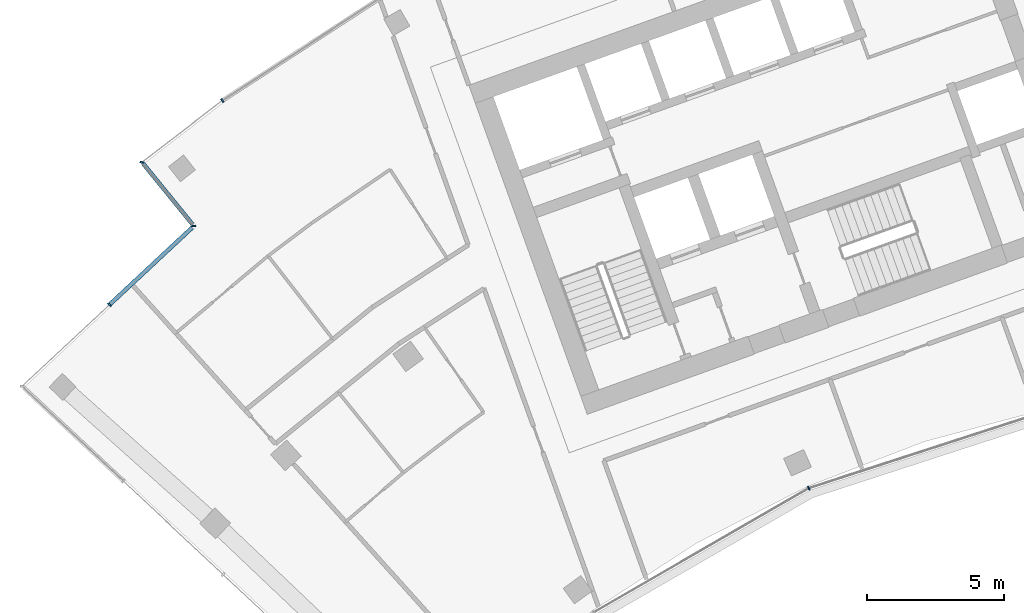
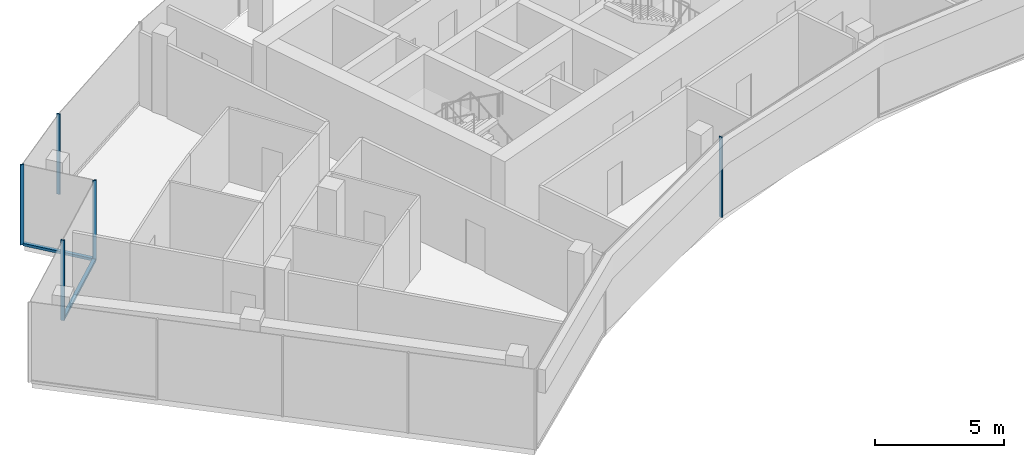
# One storey, part 3 of 18: 7 members, 4 elements without a shape of their own.
"""IFC4 building model written with IfcOpenShell, lengths in metres."""

import ifcopenshell
import ifcopenshell.guid

model = None  # the IFC model being written
_history = None  # IfcOwnerHistory: only IFC2X3 demands one
_inside = {}  # id of a spatial element -> (the spatial element, [elements in it])
_under = {}  # id of a project, library or spatial element -> (it, [spatial elements below it])
_declared = {}  # id of a project -> (the project, [libraries it declares])
_typed = {}  # id of a type object -> (the type object, [elements of that type])
_made_of = {}  # id of a material, layer set ... -> (it, [elements and type objects made of it])


def new_model(schema):
    """Start an empty IFC model of exactly this schema.

    Asked for "IFC4X3", IfcOpenShell would pick the latest addendum, in which some entities
    have other attributes; the version numbers below select the first issue.
    IFC2X3 requires an IfcOwnerHistory on every rooted entity: one is made here for all.
    """
    global model, _history
    if schema == "IFC4X3":
        model = ifcopenshell.file(schema_version=(4, 3, 0, 0))
    else:
        model = ifcopenshell.file(schema=schema)
    _inside.clear()
    _under.clear()
    _declared.clear()
    _typed.clear()
    _made_of.clear()
    _history = None
    if model.schema == "IFC2X3":
        org = make("IfcOrganization", Name="unknown")
        user = make(
            "IfcPersonAndOrganization",
            ThePerson=make("IfcPerson", FamilyName="unknown"),
            TheOrganization=org,
        )
        app = make(
            "IfcApplication",
            ApplicationDeveloper=org,
            Version="unknown",
            ApplicationFullName="unknown",
            ApplicationIdentifier="unknown",
        )
        _history = make(
            "IfcOwnerHistory",
            OwningUser=user,
            OwningApplication=app,
            ChangeAction="ADDED",
            CreationDate=0,
        )
    return model


def make(cls, **values):
    """One entity of the class cls with the attributes given. An attribute that is None is left unset."""
    return model.create_entity(
        cls, **{name: value for name, value in values.items() if value is not None}
    )


def rooted(cls, **values):
    """An entity with a GlobalId (a new one), such as an element, a storey or a relation."""
    return make(cls, GlobalId=ifcopenshell.guid.new(), OwnerHistory=_history, **values)


def si_unit(unit_type, name, prefix=None):
    """IfcSIUnit, for example si_unit("LENGTHUNIT", "METRE", prefix="MILLI")."""
    return make("IfcSIUnit", UnitType=unit_type, Prefix=prefix, Name=name)


def assignment(units):
    """IfcUnitAssignment: the units of a project."""
    return None if units is None else make("IfcUnitAssignment", Units=units)


def point(xyz):
    """IfcCartesianPoint."""
    return None if xyz is None else make("IfcCartesianPoint", Coordinates=xyz)


def direction(xyz):
    """IfcDirection."""
    return None if xyz is None else make("IfcDirection", DirectionRatios=xyz)


def frame(location, z_axis=None, x_axis=None):
    """IfcAxis2Placement3D, a coordinate frame: its origin and axes. An axis left out is left unset."""
    return make(
        "IfcAxis2Placement3D",
        Location=point(location),
        Axis=direction(z_axis),
        RefDirection=direction(x_axis),
    )


def frame_2d(location, x_axis=None):
    """IfcAxis2Placement2D, a coordinate frame in the plane: its origin and x axis."""
    return make(
        "IfcAxis2Placement2D", Location=point(location), RefDirection=direction(x_axis)
    )


def origin():
    """The frame at (0, 0, 0) with its axes left unset."""
    return frame((0.0, 0.0, 0.0))


def origin_2d():
    """The frame at (0, 0) in the plane with its x axis left unset."""
    return frame_2d((0.0, 0.0))


def place(relative_to, where):
    """IfcLocalPlacement: puts the frame where relative to a parent placement (None: the world)."""
    return make(
        "IfcLocalPlacement", PlacementRelTo=relative_to, RelativePlacement=where
    )


def context(
    kind, dimensions, precision=None, world=None, true_north=None, identifier=None
):
    """IfcGeometricRepresentationContext, for example the 3D "Model" context."""
    return make(
        "IfcGeometricRepresentationContext",
        ContextIdentifier=identifier,
        ContextType=kind,
        CoordinateSpaceDimension=dimensions,
        Precision=precision,
        WorldCoordinateSystem=world,
        TrueNorth=true_north,
    )


def subcontext(parent, identifier, kind, view, scale=None):
    """IfcGeometricRepresentationSubContext, for example "Body" below "Model"."""
    return make(
        "IfcGeometricRepresentationSubContext",
        ContextIdentifier=identifier,
        ContextType=kind,
        ParentContext=parent,
        TargetScale=scale,
        TargetView=view,
    )


def project(units=None, contexts=None):
    """IfcProject with its units and contexts."""
    return rooted(
        "IfcProject",
        Name="project",
        RepresentationContexts=contexts,
        UnitsInContext=assignment(units),
    )


def spatial(cls, under=None, at=None, **own):
    """A site, building, storey or space (cls), placed at a placement, below another one or the project."""
    s = rooted(cls, ObjectPlacement=at, **own)
    if under is not None:
        _under.setdefault(under.id(), (under, []))[1].append(s)
    return s


def profile(cls, at=None, kind="AREA", **sizes):
    """A parametric profile (cls). Its sizes go by their IFC names, for example OverallWidth=200.0."""
    return make(cls, ProfileType=kind, Position=at, **sizes)


def rectangle(**sizes):
    """IfcRectangleProfileDef."""
    return profile("IfcRectangleProfileDef", **sizes)


def extrude(swept, where, along, depth):
    """IfcExtrudedAreaSolid: the profile swept, set in the frame where, extruded along a direction by depth."""
    return make(
        "IfcExtrudedAreaSolid",
        SweptArea=swept,
        Position=where,
        ExtrudedDirection=direction(along),
        Depth=depth,
    )


def shape(context_of_items, identifier, shape_type, items):
    """IfcShapeRepresentation: the items that make up one representation, for example the "Body"."""
    return make(
        "IfcShapeRepresentation",
        ContextOfItems=context_of_items,
        RepresentationIdentifier=identifier,
        RepresentationType=shape_type,
        Items=items,
    )


def material(Name=None, Category=None):
    """IfcMaterial."""
    return make("IfcMaterial", Name=Name, Category=Category)


def layer(
    of_material, thickness, ventilated=None, Name=None, Category=None, Priority=None
):
    """IfcMaterialLayer: one layer of a wall or slab, of a material (None: an air gap)."""
    return make(
        "IfcMaterialLayer",
        Material=of_material,
        LayerThickness=thickness,
        IsVentilated=ventilated,
        Name=Name,
        Category=Category,
        Priority=Priority,
    )


def layer_set(layers, Name=None):
    """IfcMaterialLayerSet."""
    return make("IfcMaterialLayerSet", MaterialLayers=layers, LayerSetName=Name)


def material_profile(
    of_material, cross_section, Name=None, Category=None, Priority=None
):
    """IfcMaterialProfile: a cross section and its material."""
    return make(
        "IfcMaterialProfile",
        Name=Name,
        Material=of_material,
        Profile=cross_section,
        Priority=Priority,
        Category=Category,
    )


def profile_set(profiles, Name=None, composite=None):
    """IfcMaterialProfileSet."""
    return make(
        "IfcMaterialProfileSet",
        Name=Name,
        MaterialProfiles=profiles,
        CompositeProfile=composite,
    )


def made_of(thing, what):
    """Note that an element or type object is made of a material, layer set ...; save() writes the relation."""
    if what is not None:
        _made_of.setdefault(what.id(), (what, []))[1].append(thing)
    return thing


def type_object(cls, material=None, **own):
    """A type object (cls), such as IfcWallType, which elements share."""
    return made_of(rooted(cls, **own), material)


def element(
    cls,
    number,
    at=None,
    inside=None,
    cuts=None,
    type_object=None,
    material=None,
    context=None,
    identifier="Body",
    shape_type=None,
    held_by="IfcProductDefinitionShape",
    body=None,
    shapes=None,
    **own,
):
    """One element of the class cls, such as IfcWall. Its Tag is "e" and its number.

    at: its placement. inside: the storey or other place that contains it. cuts: it is an
    opening in that element (IfcRelVoidsElement). A single representation is given by context,
    identifier, shape_type and body (its items); several are given by shapes. held_by: the class
    of the entity that holds the representations. save() writes the other relations.
    """
    e = rooted(cls, Tag="e%d" % number, ObjectPlacement=at, **own)
    if body is not None:
        shapes = [shape(context, identifier, shape_type, body)]
    if shapes is not None:
        e.Representation = make(held_by, Representations=shapes)
    if inside is not None:
        _inside.setdefault(inside.id(), (inside, []))[1].append(e)
    if cuts is not None:
        rooted(
            "IfcRelVoidsElement", RelatingBuildingElement=cuts, RelatedOpeningElement=e
        )
    if type_object is not None:
        _typed.setdefault(type_object.id(), (type_object, []))[1].append(e)
    return made_of(e, material)


def aggregate(whole, parts):
    """IfcRelAggregates: a whole, such as a stair, and the parts it consists of."""
    return rooted("IfcRelAggregates", RelatingObject=whole, RelatedObjects=parts)


def save(model, path):
    """Write the relations noted so far, then the file.

    IfcRelAggregates (storeys below a building ...), IfcRelContainedInSpatialStructure (elements
    in a storey), IfcRelDefinesByType, IfcRelAssociatesMaterial and IfcRelDeclares: one each for
    every whole, place, type object, material and project.
    """
    for whole, parts in _under.values():
        aggregate(whole, parts)
    for where, things in _inside.values():
        rooted(
            "IfcRelContainedInSpatialStructure",
            RelatedElements=things,
            RelatingStructure=where,
        )
    for kind, things in _typed.values():
        rooted("IfcRelDefinesByType", RelatedObjects=things, RelatingType=kind)
    for what, things in _made_of.values():
        rooted("IfcRelAssociatesMaterial", RelatedObjects=things, RelatingMaterial=what)
    for by, libraries in _declared.values():
        rooted("IfcRelDeclares", RelatingContext=by, RelatedDefinitions=libraries)
    model.write(path)


model = new_model("IFC4")

# Units and contexts
model_context = context("Model", 3, precision=1e-05, world=origin(), true_north=direction((0.0, 1.0)))
body_context = subcontext(model_context, "Body", "Model", "MODEL_VIEW")
ifc_project = project(units=[si_unit("LENGTHUNIT", "METRE"), si_unit("AREAUNIT", "SQUARE_METRE"), si_unit("VOLUMEUNIT", "CUBIC_METRE"), si_unit("PLANEANGLEUNIT", "RADIAN"), si_unit("MASSUNIT", "GRAM", prefix="KILO")], contexts=[model_context])

# Site, building, storey
site_placement = place(None, origin())
site = spatial("IfcSite", under=ifc_project, at=site_placement, CompositionType="ELEMENT")
building_placement = place(site_placement, origin())
building = spatial("IfcBuilding", under=site, at=building_placement, Name="Stone Belt Terrace Tower", CompositionType="ELEMENT")
storey_placement = place(building_placement, frame((0.0, 0.0, 273.199951171875)))
storey = spatial("IfcBuildingStorey", under=building, at=storey_placement, Name="L66", CompositionType="ELEMENT", Elevation=273.199951171875)

# Curtain wall, member
ifc_material = material(Name="Aluminium 6063-T6 anodised frame", Category="aluminium")
ifc_layer_1 = layer(ifc_material, 0.14990234375)
ifc_layer_set_1 = layer_set([ifc_layer_1], Name="CW-A unitised convex-face curtain wall")
curtain_wall_type_1 = type_object("IfcCurtainWallType", Name="CW-A unitised convex-face curtain wall", PredefinedType="NOTDEFINED", material=ifc_layer_set_1)
curtain_wall_1_placement = place(storey_placement, origin())
curtain_wall_1 = element("IfcCurtainWall", 1, at=curtain_wall_1_placement, inside=storey, type_object=curtain_wall_type_1, Name="CW-A convex face L66", PredefinedType="NOTDEFINED")
ifc_material_profile_1 = material_profile(ifc_material, rectangle(XDim=0.14990234375, YDim=0.06005859375, at=origin_2d()), Name="Aluminium 6063-T6 60x150")
ifc_profile_set_1 = profile_set([ifc_material_profile_1], Name="Aluminium 6063-T6 anodised frame")
member_type_1 = type_object("IfcMemberType", Name="CW-A mullion 60 x 150", PredefinedType="MULLION", material=ifc_profile_set_1)
member_1_placement = place(storey_placement, frame((-39.131103515625, 53.86083984375, 0.0), z_axis=(0.0, 0.0, 1.0), x_axis=(0.577587125789, -0.816329046477, 0.0)))
member_1 = element("IfcMember", 2, at=member_1_placement, type_object=member_type_1, Name="CW-A mullion 14", PredefinedType="MULLION", context=body_context, shape_type="SweptSolid", body=[
    extrude(rectangle(XDim=0.14990234375, YDim=0.06005859375, at=origin_2d()), origin(), (0.0, 0.0, 1.0), 3.800048828125),
])
aggregate(curtain_wall_1, [member_1])

ifc_layer_2 = layer(ifc_material, 0.14990234375)
ifc_layer_set_2 = layer_set([ifc_layer_2], Name="CW-B unitised concave-face curtain wall")
curtain_wall_type_2 = type_object("IfcCurtainWallType", Name="CW-B unitised concave-face curtain wall", PredefinedType="NOTDEFINED", material=ifc_layer_set_2)
curtain_wall_2_placement = place(storey_placement, origin())
curtain_wall_2 = element("IfcCurtainWall", 3, at=curtain_wall_2_placement, inside=storey, type_object=curtain_wall_type_2, Name="CW-B concave face L66", PredefinedType="NOTDEFINED")
ifc_material_profile_2 = material_profile(ifc_material, rectangle(XDim=0.14990234375, YDim=0.050048828125, at=origin_2d()), Name="Aluminium 6063-T6 50x150")
ifc_profile_set_2 = profile_set([ifc_material_profile_2], Name="Aluminium 6063-T6 anodised frame")
member_type_2 = type_object("IfcMemberType", Name="CW-B mullion 50 x 150", PredefinedType="MULLION", material=ifc_profile_set_2)
member_2_placement = place(storey_placement, frame((-17.662353515625, 39.67041015625, 0.0), z_axis=(0.0, 0.0, 1.0), x_axis=(-0.406736643076, 0.913545457643, 0.0)))
member_2 = element("IfcMember", 4, at=member_2_placement, type_object=member_type_2, Name="CW-B mullion 3", PredefinedType="MULLION", context=body_context, shape_type="SweptSolid", body=[
    extrude(rectangle(XDim=0.14990234375, YDim=0.050048828125, at=origin_2d()), origin(), (0.0, 0.0, 1.0), 3.800048828125),
])
aggregate(curtain_wall_2, [member_2])

ifc_layer_3 = layer(ifc_material, 0.14990234375)
ifc_layer_set_3 = layer_set([ifc_layer_3], Name="CW-C stick curtain wall, horn ends and notches")
curtain_wall_type_3 = type_object("IfcCurtainWallType", Name="CW-C stick curtain wall, horn ends and notches", PredefinedType="NOTDEFINED", material=ifc_layer_set_3)
curtain_wall_3_placement = place(storey_placement, origin())
curtain_wall_3 = element("IfcCurtainWall", 5, at=curtain_wall_3_placement, inside=storey, type_object=curtain_wall_type_3, Name="CW-C notch face L66", PredefinedType="NOTDEFINED")
ifc_material_profile_3 = material_profile(ifc_material, rectangle(XDim=0.14990234375, YDim=0.06005859375, at=origin_2d()), Name="Aluminium 6063-T6 60x150")
ifc_profile_set_3 = profile_set([ifc_material_profile_3], Name="Aluminium 6063-T6 anodised frame")
member_type_3 = type_object("IfcMemberType", Name="CW-C mullion 60 x 150", PredefinedType="MULLION", material=ifc_profile_set_3)
member_3_placement = place(storey_placement, frame((-42.068359375, 51.60205078125, 0.0), z_axis=(0.0, 0.0, 1.0), x_axis=(0.993258004644, -0.115924700604, 0.0)))
member_3 = element("IfcMember", 6, at=member_3_placement, type_object=member_type_3, Name="CW-C mullion 1", PredefinedType="MULLION", context=body_context, shape_type="SweptSolid", body=[
    extrude(rectangle(XDim=0.14990234375, YDim=0.06005859375, at=origin_2d()), origin(), (0.0, 0.0, 1.0), 3.800048828125),
])

# Curtain wall, members
curtain_wall_4_placement = place(storey_placement, origin())
curtain_wall_4 = element("IfcCurtainWall", 7, at=curtain_wall_4_placement, inside=storey, type_object=curtain_wall_type_3, Name="CW-C notch face L66", PredefinedType="NOTDEFINED")
member_4_placement = place(storey_placement, frame((-40.1708984375, 49.269287109375, 0.0), z_axis=(0.0, 0.0, 1.0), x_axis=(0.997639702696, -0.068666029474, 0.0)))
member_4 = element("IfcMember", 8, at=member_4_placement, type_object=member_type_3, Name="CW-C mullion 1", PredefinedType="MULLION", context=body_context, shape_type="SweptSolid", body=[
    extrude(rectangle(XDim=0.14990234375, YDim=0.06005859375, at=origin_2d()), origin(), (0.0, 0.0, 1.0), 3.800048828125),
])
member_5_placement = place(storey_placement, frame((-43.260009765625, 46.388671875, 0.0), z_axis=(0.0, 0.0, 1.0), x_axis=(0.682013767261, -0.731339333871, 0.0)))
member_5 = element("IfcMember", 9, at=member_5_placement, type_object=member_type_3, Name="CW-C mullion 2", PredefinedType="MULLION", context=body_context, shape_type="SweptSolid", body=[
    extrude(rectangle(XDim=0.14990234375, YDim=0.06005859375, at=origin_2d()), origin(), (0.0, 0.0, 1.0), 3.800048828125),
])

# Member
ifc_material_profile_4 = material_profile(ifc_material, rectangle(XDim=0.14990234375, YDim=0.1201171875, at=origin_2d()), Name="Aluminium 6063-T6 150x120")
ifc_profile_set_4 = profile_set([ifc_material_profile_4], Name="Aluminium 6063-T6 anodised frame")
member_type_4 = type_object("IfcMemberType", Name="CW-C transom 120 x 150", PredefinedType="USERDEFINED", material=ifc_profile_set_4)
member_6_placement = place(storey_placement, frame((-42.021240234375, 51.5439453125, 0.06005859375), z_axis=(0.631026504781, -0.775761271439, 0.0), x_axis=(0.775761271439, 0.631026504781, 0.0)))
member_6 = element("IfcMember", 10, at=member_6_placement, type_object=member_type_4, Name="CW-C transom 1.1", ObjectType="TRANSOM", PredefinedType="USERDEFINED", context=body_context, shape_type="SweptSolid", body=[
    extrude(rectangle(XDim=0.14990234375, YDim=0.1201171875, at=origin_2d()), origin(), (0.0, 0.0, 1.0), 2.859130859375),
])

aggregate(curtain_wall_3, [member_3, member_6])

member_7_placement = place(storey_placement, frame((-40.224365234375, 49.21923828125, 0.06005859375), z_axis=(-0.731382255625, -0.681967738355, 0.0), x_axis=(0.681967738355, -0.731382255625, 0.0)))
member_7 = element("IfcMember", 11, at=member_7_placement, type_object=member_type_4, Name="CW-C transom 1.1", ObjectType="TRANSOM", PredefinedType="USERDEFINED", context=body_context, shape_type="SweptSolid", body=[
    extrude(rectangle(XDim=0.14990234375, YDim=0.1201171875, at=origin_2d()), origin(), (0.0, 0.0, 1.0), 4.12060546875),
])

aggregate(curtain_wall_4, [member_4, member_5, member_7])

save(model, "model.ifc")
